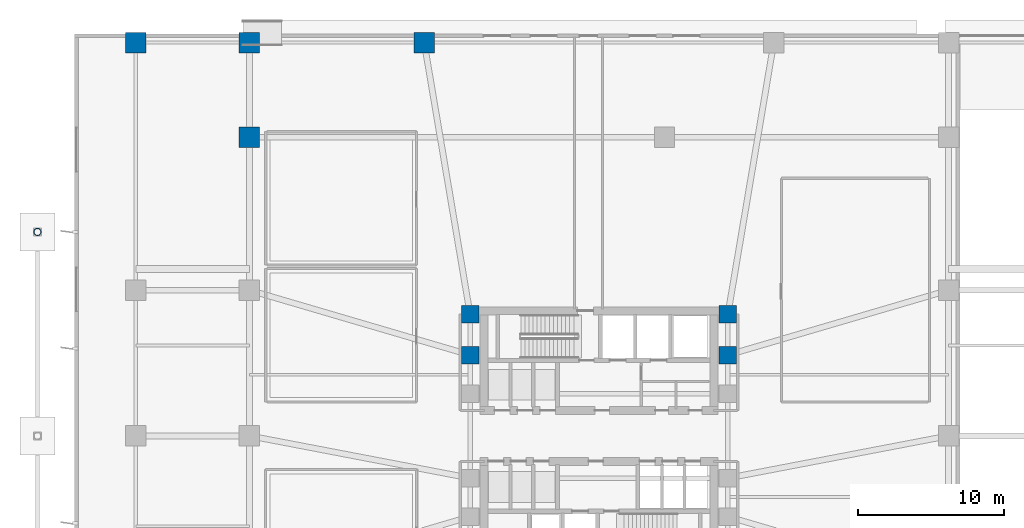
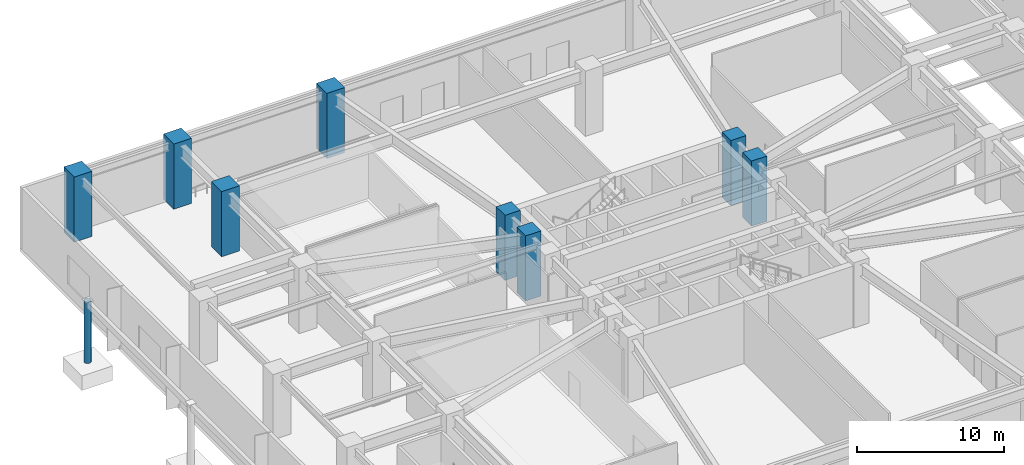
# One storey, part 4 of 20: 9 columns.
"""IFC4 building model written with IfcOpenShell, lengths in metres."""

from ifc_helpers import new_model, si_unit, direction, frame, origin, origin_2d, place, context, subcontext, project, spatial, rectangle, hollow_circle, extrude, material, material_profile, profile_set, type_object, element, save


model = new_model("IFC4")

# Units and contexts
model_context = context("Model", 3, precision=1e-05, world=origin(), true_north=direction((0.0, 1.0)))
body_context = subcontext(model_context, "Body", "Model", "MODEL_VIEW")
ifc_project = project(units=[si_unit("LENGTHUNIT", "METRE"), si_unit("AREAUNIT", "SQUARE_METRE"), si_unit("VOLUMEUNIT", "CUBIC_METRE"), si_unit("PLANEANGLEUNIT", "RADIAN"), si_unit("MASSUNIT", "GRAM", prefix="KILO")], contexts=[model_context])

# Site, building, storey
site_placement = place(None, origin())
site = spatial("IfcSite", under=ifc_project, at=site_placement, CompositionType="ELEMENT")
building_placement = place(site_placement, origin())
building = spatial("IfcBuilding", under=site, at=building_placement, Name="Solmarez Civic Tower", CompositionType="ELEMENT")
storey_placement = place(building_placement, origin())
storey = spatial("IfcBuildingStorey", under=building, at=storey_placement, Name="L00", CompositionType="ELEMENT", Elevation=0.0)

# Columns
ifc_material_1 = material(Name="Steel S355", Category="steel")
ifc_material_profile_1 = material_profile(ifc_material_1, hollow_circle(Radius=0.25390625, WallThickness=0.02001953125, at=origin_2d()), Name="CHS508X20")
ifc_profile_set_1 = profile_set([ifc_material_profile_1], Name="Steel S355")
column_type_1 = type_object("IfcColumnType", Name="COL-CHS508", PredefinedType="COLUMN", material=ifc_profile_set_1)
column_placement = place(storey_placement, frame((-38.550048828125, 14.0, -0.300048828125), z_axis=(0.0, 0.0, 1.0), x_axis=(1.0, 0.0, 0.0)))
element("IfcColumn", 1, at=column_placement, inside=storey, type_object=column_type_1, Name="L00 Plaza Canopy Column PF-W3", PredefinedType="COLUMN", context=body_context, shape_type="SweptSolid", body=[
    extrude(hollow_circle(Radius=0.25390625, WallThickness=0.02001953125, at=origin_2d()), origin(), (0.0, 0.0, 1.0), 5.10009765625),
])
ifc_material_2 = material(Name="Concrete C60/75", Category="concrete")
ifc_material_profile_2 = material_profile(ifc_material_2, rectangle(XDim=1.199951171875, YDim=1.199951171875, at=origin_2d()), Name="RC1200X1200")
ifc_profile_set_2 = profile_set([ifc_material_profile_2], Name="Concrete C60/75")
column_type_2 = type_object("IfcColumnType", Name="COL-RC1200", PredefinedType="COLUMN", material=ifc_profile_set_2)
for number, where, z_axis, x_axis, name in (
    (2, (-8.85009765625, 5.550048828125, 0.0), (0.0, 0.0, 1.0), (1.0, 0.0, 0.0), "L00 Structural Column HC4"),
    (3, (8.85009765625, 5.550048828125, 0.0), (0.0, 0.0, 1.0), (1.0, 0.0, 0.0), "L00 Structural Column HC8"),
    (4, (-8.85009765625, 8.35009765625, 0.0), (0.0, 0.0, 1.0), (1.0, 0.0, 0.0), "L00 Structural Column HC9"),
    (5, (8.85009765625, 8.35009765625, 0.0), (0.0, 0.0, 1.0), (1.0, 0.0, 0.0), "L00 Structural Column HC11"),
):
    element("IfcColumn", number, at=place(storey_placement, frame(where, z_axis=z_axis, x_axis=x_axis)), inside=storey, type_object=column_type_2, Name=name, PredefinedType="COLUMN", context=body_context, shape_type="SweptSolid", body=[
        extrude(rectangle(XDim=1.199951171875, YDim=1.199951171875, at=origin_2d()), origin(), (0.0, 0.0, 1.0), 5.39990234375),
    ])
ifc_material_profile_3 = material_profile(ifc_material_2, rectangle(XDim=1.39990234375, YDim=1.39990234375, at=origin_2d()), Name="RC1400X1400")
ifc_profile_set_3 = profile_set([ifc_material_profile_3], Name="Concrete C60/75")
column_type_3 = type_object("IfcColumnType", Name="COL-RC1400", PredefinedType="COLUMN", material=ifc_profile_set_3)
for number, where, z_axis, x_axis, name in (
    (6, (-31.800048828125, 27.0, 0.0), (0.0, 0.0, 1.0), (1.0, 0.0, 0.0), "L00 Structural Column PC07"),
    (7, (-24.0, 27.0, 0.0), (0.0, 0.0, 1.0), (1.0, 0.0, 0.0), "L00 Structural Column PC08"),
    (8, (-12.0, 27.0, 0.0), (0.0, 0.0, 1.0), (1.0, 0.0, 0.0), "L00 Structural Column PC09"),
    (9, (-24.0, 20.5, 0.0), (0.0, 0.0, 1.0), (1.0, 0.0, 0.0), "L00 Structural Column PC29"),
):
    element("IfcColumn", number, at=place(storey_placement, frame(where, z_axis=z_axis, x_axis=x_axis)), inside=storey, type_object=column_type_3, Name=name, PredefinedType="COLUMN", context=body_context, shape_type="SweptSolid", body=[
        extrude(rectangle(XDim=1.39990234375, YDim=1.39990234375, at=origin_2d()), origin(), (0.0, 0.0, 1.0), 5.39990234375),
    ])

save(model, "model.ifc")
